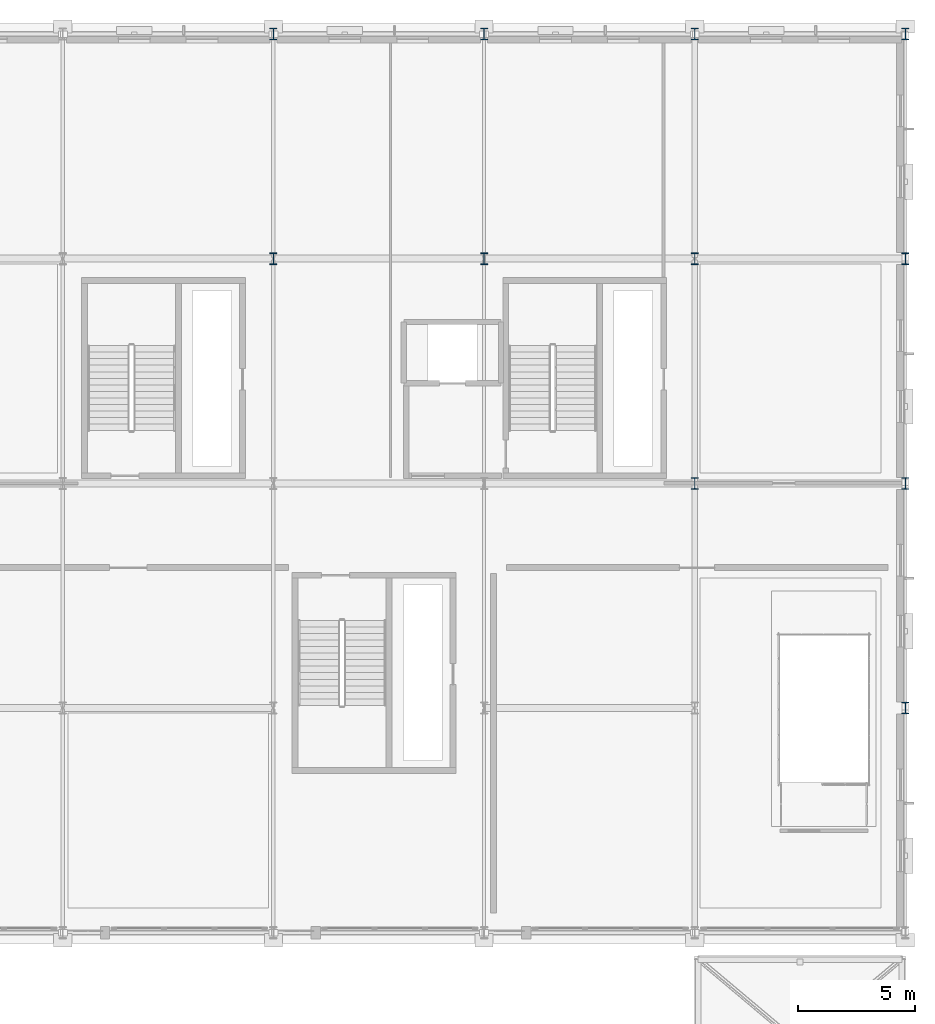
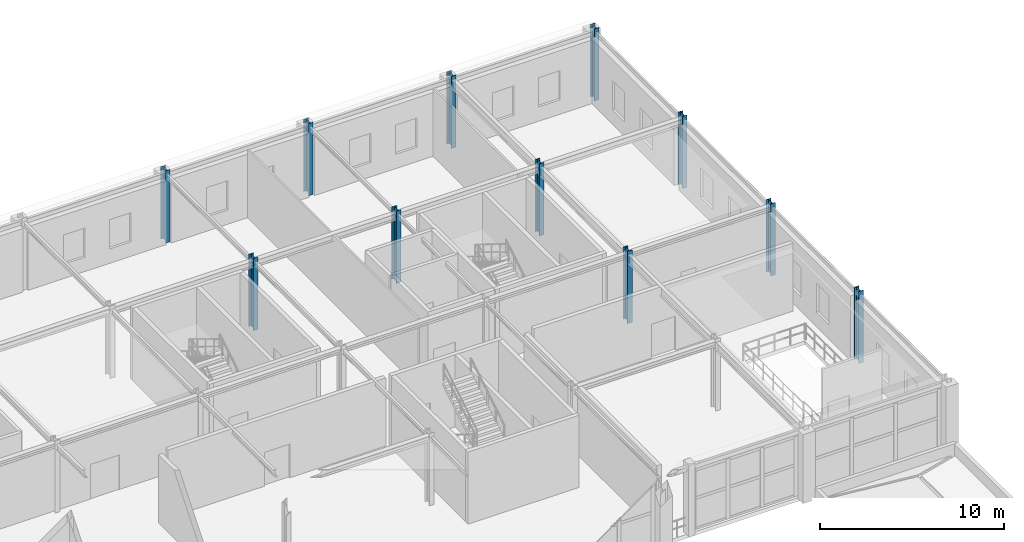
# One storey, part 22 of 125: 11 columns.
"""IFC4 building model written with IfcOpenShell, lengths in metres."""

from ifc_helpers import new_model, si_unit, direction, frame, origin, origin_2d, place, context, subcontext, project, spatial, i_section, extrude, material, material_profile, profile_set, type_object, element, save


model = new_model("IFC4")

# Units and contexts
model_context = context("Model", 3, precision=1e-05, world=origin(), true_north=direction((0.0, 1.0)))
body_context = subcontext(model_context, "Body", "Model", "MODEL_VIEW")
ifc_project = project(units=[si_unit("LENGTHUNIT", "METRE"), si_unit("AREAUNIT", "SQUARE_METRE"), si_unit("VOLUMEUNIT", "CUBIC_METRE"), si_unit("PLANEANGLEUNIT", "RADIAN"), si_unit("MASSUNIT", "GRAM", prefix="KILO")], contexts=[model_context])

# Site, building, storey
site_placement = place(None, origin())
site = spatial("IfcSite", under=ifc_project, at=site_placement, CompositionType="ELEMENT")
building_placement = place(site_placement, origin())
building = spatial("IfcBuilding", under=site, at=building_placement, Name="Myrtia Square Station", CompositionType="ELEMENT")
storey_placement = place(building_placement, frame((0.0, 0.0, 6.0)))
storey = spatial("IfcBuildingStorey", under=building, at=storey_placement, Name="L01", CompositionType="ELEMENT", Elevation=6.0)

# Columns
ifc_material = material(Name="Steel S355", Category="steel")
ifc_material_profile = material_profile(ifc_material, i_section(OverallWidth=0.300048828125, OverallDepth=0.5, WebThickness=0.014404296875, FlangeThickness=0.028076171875, FilletRadius=0.027099609375, at=origin_2d()), Name="HEB 500")
ifc_profile_set = profile_set([ifc_material_profile], Name="Steel S355")
column_type = type_object("IfcColumnType", Name="COL-HEB500", PredefinedType="COLUMN", material=ifc_profile_set)
for number, where, z_axis, x_axis, name in (
    (1, (162.0, 115.199951171875, 0.0), (0.0, 0.0, 1.0), (1.0, 0.0, 0.0), "Column L01-0918"),
    (2, (162.0, 124.800048828125, 0.0), (0.0, 0.0, 1.0), (1.0, 0.0, 0.0), "Column L01-0924"),
    (3, (171.0, 115.199951171875, 0.0), (0.0, 0.0, 1.0), (1.0, 0.0, 0.0), "Column L01-0948"),
    (4, (171.0, 124.800048828125, 0.0), (0.0, 0.0, 1.0), (1.0, 0.0, 0.0), "Column L01-0954"),
    (5, (180.0, 105.60009765625, 0.0), (0.0, 0.0, 1.0), (1.0, 0.0, 0.0), "Column L01-0972"),
    (6, (180.0, 115.199951171875, 0.0), (0.0, 0.0, 1.0), (1.0, 0.0, 0.0), "Column L01-0978"),
    (7, (180.0, 124.800048828125, 0.0), (0.0, 0.0, 1.0), (1.0, 0.0, 0.0), "Column L01-0984"),
    (8, (189.0, 96.0, 0.0), (0.0, 0.0, 1.0), (1.0, 0.0, 0.0), "Column L01-0996"),
    (9, (189.0, 105.60009765625, 0.0), (0.0, 0.0, 1.0), (1.0, 0.0, 0.0), "Column L01-1002"),
    (10, (189.0, 115.199951171875, 0.0), (0.0, 0.0, 1.0), (1.0, 0.0, 0.0), "Column L01-1008"),
    (11, (189.0, 124.800048828125, 0.0), (0.0, 0.0, 1.0), (1.0, 0.0, 0.0), "Column L01-1014"),
):
    element("IfcColumn", number, at=place(storey_placement, frame(where, z_axis=z_axis, x_axis=x_axis)), inside=storey, type_object=column_type, Name=name, PredefinedType="COLUMN", context=body_context, shape_type="SweptSolid", body=[
        extrude(i_section(OverallWidth=0.300048828125, OverallDepth=0.5, WebThickness=0.014404296875, FlangeThickness=0.028076171875, FilletRadius=0.027099609375, at=origin_2d()), origin(), (0.0, 0.0, 1.0), 4.800048828125),
    ])

save(model, "model.ifc")
